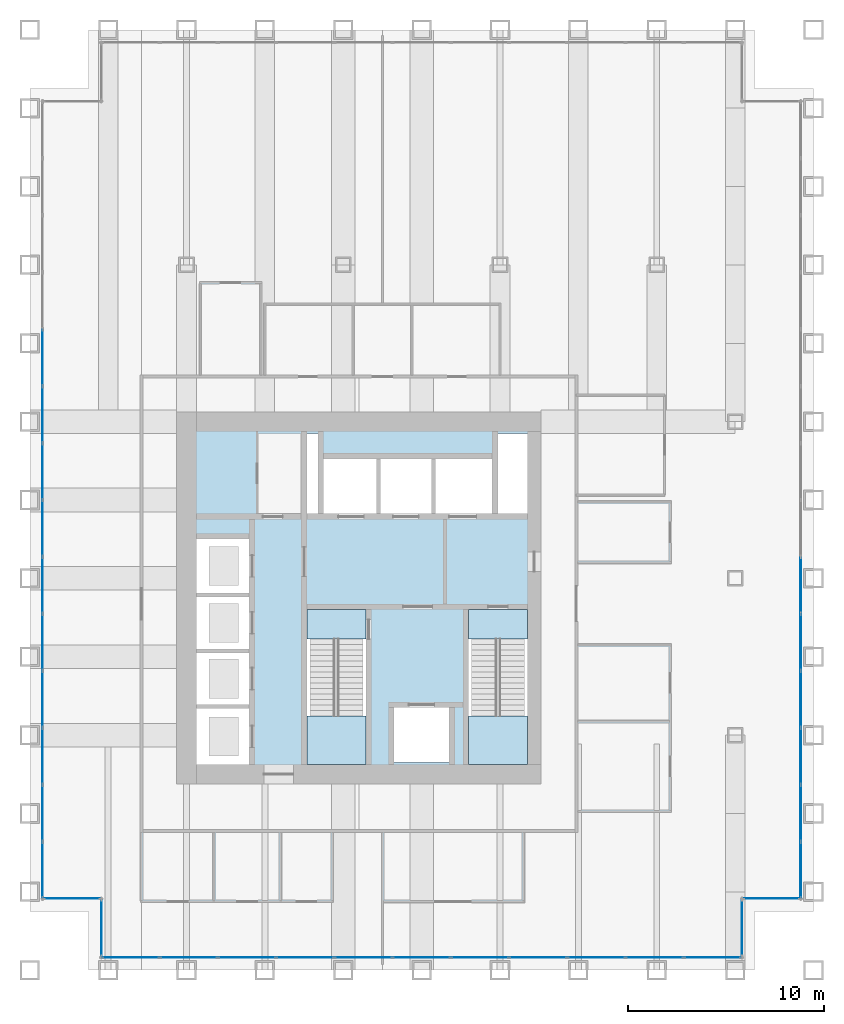
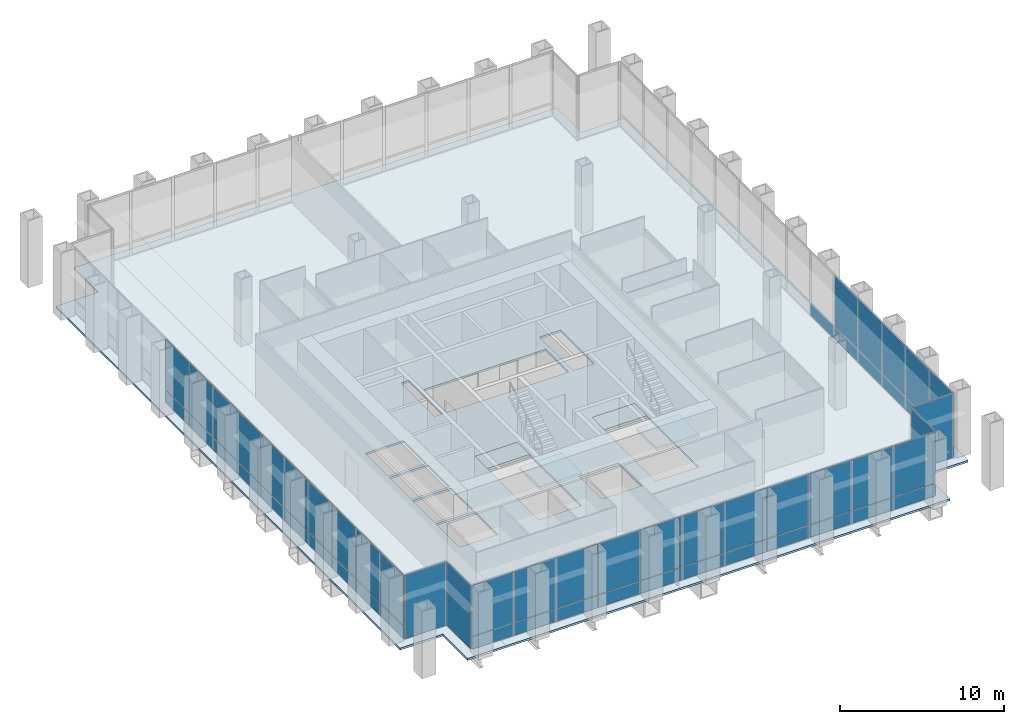
# One storey, part 8 of 13: 57 plates, 5 slabs, 9 elements without a shape of their own.
"""IFC4 building model written with IfcOpenShell, lengths in metres."""

from ifc_helpers import new_model, si_unit, direction, frame, origin, origin_2d, place, context, subcontext, project, spatial, polyline, rectangle, outline, extrude, material, layer, layer_set, type_object, element, aggregate, save


model = new_model("IFC4")

# Units and contexts
model_context = context("Model", 3, precision=1e-05, world=origin(), true_north=direction((0.0, 1.0)))
body_context = subcontext(model_context, "Body", "Model", "MODEL_VIEW")
ifc_project = project(units=[si_unit("LENGTHUNIT", "METRE"), si_unit("AREAUNIT", "SQUARE_METRE"), si_unit("VOLUMEUNIT", "CUBIC_METRE"), si_unit("PLANEANGLEUNIT", "RADIAN"), si_unit("MASSUNIT", "GRAM", prefix="KILO")], contexts=[model_context])

# Site, building, storey
site_placement = place(None, origin())
site = spatial("IfcSite", under=ifc_project, at=site_placement, CompositionType="ELEMENT")
building_placement = place(site_placement, origin())
building = spatial("IfcBuilding", under=site, at=building_placement, Name="Rimbunsela Tower", CompositionType="ELEMENT")
storey_placement = place(building_placement, frame((0.0, 0.0, 209.199951171875)))
storey = spatial("IfcBuildingStorey", under=building, at=storey_placement, Name="L50", CompositionType="ELEMENT", Elevation=209.199951171875)

# Slab
ifc_material_1 = material(Name="Concrete fc' 35 MPa", Category="concrete")
ifc_layer_1 = layer(ifc_material_1, 0.14990234375)
ifc_layer_set_1 = layer_set([ifc_layer_1], Name="Floor slab 150")
slab_type_1 = type_object("IfcSlabType", Name="Floor slab 150", PredefinedType="FLOOR", material=ifc_layer_set_1)
slab_1_placement = place(storey_placement, frame((0.0, 0.0, -0.14990234375)))
element("IfcSlab", 1, at=slab_1_placement, inside=storey, type_object=slab_type_1, Name="Floor slab L50", PredefinedType="FLOOR", context=body_context, shape_type="SweptSolid", body=[
    extrude(outline(polyline([(13.0, 8.0), (47.0, 8.0), (47.0, 11.0), (50.0, 11.0), (50.0, 53.0), (47.0, 53.0), (47.0, 56.0), (13.0, 56.0), (13.0, 53.0), (10.0, 53.0), (10.0, 11.0), (13.0, 11.0), (13.0, 8.0)]), holes=[polyline([(21.199951171875, 21.35009765625), (18.5, 21.35009765625), (18.5, 18.5), (21.199951171875, 18.5), (21.199951171875, 21.35009765625)]), polyline([(21.199951171875, 21.550048828125), (21.199951171875, 24.199951171875), (18.5, 24.199951171875), (18.5, 21.550048828125), (21.199951171875, 21.550048828125)]), polyline([(21.199951171875, 27.050048828125), (18.5, 27.050048828125), (18.5, 24.39990234375), (21.199951171875, 24.39990234375), (21.199951171875, 27.050048828125)]), polyline([(21.199951171875, 27.25), (21.199951171875, 30.0), (18.5, 30.0), (18.5, 27.25), (21.199951171875, 27.25)]), polyline([(27.14990234375, 18.60009765625), (27.14990234375, 26.39990234375), (24.14990234375, 26.39990234375), (24.14990234375, 18.60009765625), (27.14990234375, 18.60009765625)]), polyline([(24.699951171875, 31.300048828125), (24.699951171875, 35.39990234375), (24.14990234375, 35.39990234375), (24.14990234375, 31.300048828125), (24.699951171875, 31.300048828125)]), polyline([(25.0, 34.10009765625), (25.0, 31.300048828125), (33.60009765625, 31.300048828125), (33.60009765625, 34.10009765625), (25.0, 34.10009765625)]), polyline([(31.39990234375, 21.39990234375), (28.60009765625, 21.39990234375), (28.60009765625, 18.60009765625), (31.39990234375, 18.60009765625), (31.39990234375, 21.39990234375)]), polyline([(35.39990234375, 18.60009765625), (35.39990234375, 26.39990234375), (32.39990234375, 26.39990234375), (32.39990234375, 18.60009765625), (35.39990234375, 18.60009765625)]), polyline([(35.39990234375, 31.300048828125), (35.39990234375, 35.39990234375), (33.89990234375, 35.39990234375), (33.89990234375, 31.300048828125), (35.39990234375, 31.300048828125)])]), origin(), (0.0, 0.0, 1.0), 0.14990234375),
])

# Curtain wall, plate
ifc_material_2 = material(Name="Aluminium curtain wall", Category="aluminium")
curtain_wall_type_1 = type_object("IfcCurtainWallType", Name="Corner glazing", PredefinedType="USERDEFINED", material=ifc_material_2)
curtain_wall_1_placement = place(storey_placement, origin())
curtain_wall_1 = element("IfcCurtainWall", 2, at=curtain_wall_1_placement, inside=storey, type_object=curtain_wall_type_1, Name="Corner glazing L50", ObjectType="CORNER GLAZING", PredefinedType="USERDEFINED")
ifc_material_3 = material(Name="Clear double glazing", Category="glass")
ifc_layer_2 = layer(ifc_material_3, 0.028076171875)
ifc_layer_set_2 = layer_set([ifc_layer_2], Name="Glazed panel clear")
plate_type = type_object("IfcPlateType", Name="Glazed panel clear", PredefinedType="CURTAIN_PANEL", material=ifc_layer_set_2)
plate_1_placement = place(storey_placement, frame((46.35009765625, 10.14990234375, 0.06005859375), z_axis=(0.0, 0.0, 1.0), x_axis=(0.0, 1.0, 0.0)))
plate_1 = element("IfcPlate", 3, at=plate_1_placement, type_object=plate_type, Name="CW5 panel 1.1", PredefinedType="CURTAIN_PANEL", context=body_context, shape_type="SweptSolid", body=[
    extrude(rectangle(XDim=2.8798828125, YDim=0.028076171875, at=origin_2d()), origin(), (0.0, 0.0, 1.0), 4.72998046875),
])
aggregate(curtain_wall_1, [plate_1])

curtain_wall_2_placement = place(storey_placement, origin())
curtain_wall_2 = element("IfcCurtainWall", 4, at=curtain_wall_2_placement, inside=storey, type_object=curtain_wall_type_1, Name="Corner glazing L50", ObjectType="CORNER GLAZING", PredefinedType="USERDEFINED")
plate_2_placement = place(storey_placement, frame((47.85009765625, 11.64990234375, 0.06005859375), z_axis=(0.0, 0.0, 1.0), x_axis=(1.0, 0.0, 0.0)))
plate_2 = element("IfcPlate", 5, at=plate_2_placement, type_object=plate_type, Name="CW5 panel 1.1", PredefinedType="CURTAIN_PANEL", context=body_context, shape_type="SweptSolid", body=[
    extrude(rectangle(XDim=2.8798828125, YDim=0.028076171875, at=origin_2d()), origin(), (0.0, 0.0, 1.0), 4.72998046875),
])
aggregate(curtain_wall_2, [plate_2])

# Curtain wall, plates
ifc_material_4 = material(Name="Aluminium curtain wall", Category="aluminium")
curtain_wall_type_2 = type_object("IfcCurtainWallType", Name="Sky lobby glazing", PredefinedType="USERDEFINED", material=ifc_material_4)
curtain_wall_3_placement = place(storey_placement, origin())
curtain_wall_3 = element("IfcCurtainWall", 6, at=curtain_wall_3_placement, inside=storey, type_object=curtain_wall_type_2, Name="Sky lobby glazing L50", ObjectType="SKY LOBBY GLAZING", PredefinedType="USERDEFINED")
plate_3_placement = place(storey_placement, frame((49.35009765625, 13.11865234375, 0.06005859375), z_axis=(0.0, 0.0, 1.0), x_axis=(0.0, 1.0, 0.0)))
plate_3 = element("IfcPlate", 7, at=plate_3_placement, type_object=plate_type, Name="CW4 panel 1.1", PredefinedType="CURTAIN_PANEL", context=body_context, shape_type="SweptSolid", body=[
    extrude(rectangle(XDim=2.817138671875, YDim=0.028076171875, at=origin_2d()), origin(), (0.0, 0.0, 1.0), 0.909912109375),
])
plate_4_placement = place(storey_placement, frame((49.35009765625, 13.11865234375, 1.0302734375), z_axis=(0.0, 0.0, 1.0), x_axis=(0.0, 1.0, 0.0)))
plate_4 = element("IfcPlate", 8, at=plate_4_placement, type_object=plate_type, Name="CW4 panel 1.2", PredefinedType="CURTAIN_PANEL", context=body_context, shape_type="SweptSolid", body=[
    extrude(rectangle(XDim=2.817138671875, YDim=0.028076171875, at=origin_2d()), origin(), (0.0, 0.0, 1.0), 3.760009765625),
])
plate_5_placement = place(storey_placement, frame((49.35009765625, 16.0107421875, 0.06005859375), z_axis=(0.0, 0.0, 1.0), x_axis=(0.0, 1.0, 0.0)))
plate_5 = element("IfcPlate", 9, at=plate_5_placement, type_object=plate_type, Name="CW4 panel 2.1", PredefinedType="CURTAIN_PANEL", context=body_context, shape_type="SweptSolid", body=[
    extrude(rectangle(XDim=2.84716796875, YDim=0.028076171875, at=origin_2d()), origin(), (0.0, 0.0, 1.0), 0.909912109375),
])
plate_6_placement = place(storey_placement, frame((49.35009765625, 16.0107421875, 1.0302734375), z_axis=(0.0, 0.0, 1.0), x_axis=(0.0, 1.0, 0.0)))
plate_6 = element("IfcPlate", 10, at=plate_6_placement, type_object=plate_type, Name="CW4 panel 2.2", PredefinedType="CURTAIN_PANEL", context=body_context, shape_type="SweptSolid", body=[
    extrude(rectangle(XDim=2.84716796875, YDim=0.028076171875, at=origin_2d()), origin(), (0.0, 0.0, 1.0), 3.760009765625),
])
plate_7_placement = place(storey_placement, frame((49.35009765625, 18.91796875, 0.06005859375), z_axis=(0.0, 0.0, 1.0), x_axis=(0.0, 1.0, 0.0)))
plate_7 = element("IfcPlate", 11, at=plate_7_placement, type_object=plate_type, Name="CW4 panel 3.1", PredefinedType="CURTAIN_PANEL", context=body_context, shape_type="SweptSolid", body=[
    extrude(rectangle(XDim=2.84716796875, YDim=0.028076171875, at=origin_2d()), origin(), (0.0, 0.0, 1.0), 0.909912109375),
])
plate_8_placement = place(storey_placement, frame((49.35009765625, 18.91796875, 1.0302734375), z_axis=(0.0, 0.0, 1.0), x_axis=(0.0, 1.0, 0.0)))
plate_8 = element("IfcPlate", 12, at=plate_8_placement, type_object=plate_type, Name="CW4 panel 3.2", PredefinedType="CURTAIN_PANEL", context=body_context, shape_type="SweptSolid", body=[
    extrude(rectangle(XDim=2.84716796875, YDim=0.028076171875, at=origin_2d()), origin(), (0.0, 0.0, 1.0), 3.760009765625),
])
plate_9_placement = place(storey_placement, frame((49.35009765625, 21.824951171875, 0.06005859375), z_axis=(0.0, 0.0, 1.0), x_axis=(0.0, 1.0, 0.0)))
plate_9 = element("IfcPlate", 13, at=plate_9_placement, type_object=plate_type, Name="CW4 panel 4.1", PredefinedType="CURTAIN_PANEL", context=body_context, shape_type="SweptSolid", body=[
    extrude(rectangle(XDim=2.84716796875, YDim=0.028076171875, at=origin_2d()), origin(), (0.0, 0.0, 1.0), 0.909912109375),
])
plate_10_placement = place(storey_placement, frame((49.35009765625, 21.824951171875, 1.0302734375), z_axis=(0.0, 0.0, 1.0), x_axis=(0.0, 1.0, 0.0)))
plate_10 = element("IfcPlate", 14, at=plate_10_placement, type_object=plate_type, Name="CW4 panel 4.2", PredefinedType="CURTAIN_PANEL", context=body_context, shape_type="SweptSolid", body=[
    extrude(rectangle(XDim=2.84716796875, YDim=0.028076171875, at=origin_2d()), origin(), (0.0, 0.0, 1.0), 3.760009765625),
])
plate_11_placement = place(storey_placement, frame((49.35009765625, 24.732177734375, 0.06005859375), z_axis=(0.0, 0.0, 1.0), x_axis=(0.0, 1.0, 0.0)))
plate_11 = element("IfcPlate", 15, at=plate_11_placement, type_object=plate_type, Name="CW4 panel 5.1", PredefinedType="CURTAIN_PANEL", context=body_context, shape_type="SweptSolid", body=[
    extrude(rectangle(XDim=2.84716796875, YDim=0.028076171875, at=origin_2d()), origin(), (0.0, 0.0, 1.0), 0.909912109375),
])
plate_12_placement = place(storey_placement, frame((49.35009765625, 24.732177734375, 1.0302734375), z_axis=(0.0, 0.0, 1.0), x_axis=(0.0, 1.0, 0.0)))
plate_12 = element("IfcPlate", 16, at=plate_12_placement, type_object=plate_type, Name="CW4 panel 5.2", PredefinedType="CURTAIN_PANEL", context=body_context, shape_type="SweptSolid", body=[
    extrude(rectangle(XDim=2.84716796875, YDim=0.028076171875, at=origin_2d()), origin(), (0.0, 0.0, 1.0), 3.760009765625),
])
plate_13_placement = place(storey_placement, frame((49.35009765625, 27.639404296875, 0.06005859375), z_axis=(0.0, 0.0, 1.0), x_axis=(0.0, 1.0, 0.0)))
plate_13 = element("IfcPlate", 17, at=plate_13_placement, type_object=plate_type, Name="CW4 panel 6.1", PredefinedType="CURTAIN_PANEL", context=body_context, shape_type="SweptSolid", body=[
    extrude(rectangle(XDim=2.84716796875, YDim=0.028076171875, at=origin_2d()), origin(), (0.0, 0.0, 1.0), 0.909912109375),
])
aggregate(curtain_wall_3, [plate_3, plate_4, plate_5, plate_6, plate_7, plate_8, plate_9, plate_10, plate_11, plate_12, plate_13])

curtain_wall_4_placement = place(storey_placement, origin())
curtain_wall_4 = element("IfcCurtainWall", 18, at=curtain_wall_4_placement, inside=storey, type_object=curtain_wall_type_2, Name="Sky lobby glazing L50", ObjectType="SKY LOBBY GLAZING", PredefinedType="USERDEFINED")
plate_14_placement = place(storey_placement, frame((10.64990234375, 39.267822265625, 0.06005859375), z_axis=(0.0, 0.0, 1.0), x_axis=(0.0, -1.0, 0.0)))
plate_14 = element("IfcPlate", 19, at=plate_14_placement, type_object=plate_type, Name="CW4 panel 5.1", PredefinedType="CURTAIN_PANEL", context=body_context, shape_type="SweptSolid", body=[
    extrude(rectangle(XDim=2.84716796875, YDim=0.028076171875, at=origin_2d()), origin(), (0.0, 0.0, 1.0), 0.909912109375),
])
plate_15_placement = place(storey_placement, frame((10.64990234375, 39.267822265625, 1.0302734375), z_axis=(0.0, 0.0, 1.0), x_axis=(0.0, -1.0, 0.0)))
plate_15 = element("IfcPlate", 20, at=plate_15_placement, type_object=plate_type, Name="CW4 panel 5.2", PredefinedType="CURTAIN_PANEL", context=body_context, shape_type="SweptSolid", body=[
    extrude(rectangle(XDim=2.84716796875, YDim=0.028076171875, at=origin_2d()), origin(), (0.0, 0.0, 1.0), 3.760009765625),
])
plate_16_placement = place(storey_placement, frame((10.64990234375, 36.360595703125, 0.06005859375), z_axis=(0.0, 0.0, 1.0), x_axis=(0.0, -1.0, 0.0)))
plate_16 = element("IfcPlate", 21, at=plate_16_placement, type_object=plate_type, Name="CW4 panel 6.1", PredefinedType="CURTAIN_PANEL", context=body_context, shape_type="SweptSolid", body=[
    extrude(rectangle(XDim=2.84716796875, YDim=0.028076171875, at=origin_2d()), origin(), (0.0, 0.0, 1.0), 0.909912109375),
])
plate_17_placement = place(storey_placement, frame((10.64990234375, 36.360595703125, 1.0302734375), z_axis=(0.0, 0.0, 1.0), x_axis=(0.0, -1.0, 0.0)))
plate_17 = element("IfcPlate", 22, at=plate_17_placement, type_object=plate_type, Name="CW4 panel 6.2", PredefinedType="CURTAIN_PANEL", context=body_context, shape_type="SweptSolid", body=[
    extrude(rectangle(XDim=2.84716796875, YDim=0.028076171875, at=origin_2d()), origin(), (0.0, 0.0, 1.0), 3.760009765625),
])
plate_18_placement = place(storey_placement, frame((10.64990234375, 33.45361328125, 0.06005859375), z_axis=(0.0, 0.0, 1.0), x_axis=(0.0, -1.0, 0.0)))
plate_18 = element("IfcPlate", 23, at=plate_18_placement, type_object=plate_type, Name="CW4 panel 7.1", PredefinedType="CURTAIN_PANEL", context=body_context, shape_type="SweptSolid", body=[
    extrude(rectangle(XDim=2.84716796875, YDim=0.028076171875, at=origin_2d()), origin(), (0.0, 0.0, 1.0), 0.909912109375),
])
plate_19_placement = place(storey_placement, frame((10.64990234375, 33.45361328125, 1.0302734375), z_axis=(0.0, 0.0, 1.0), x_axis=(0.0, -1.0, 0.0)))
plate_19 = element("IfcPlate", 24, at=plate_19_placement, type_object=plate_type, Name="CW4 panel 7.2", PredefinedType="CURTAIN_PANEL", context=body_context, shape_type="SweptSolid", body=[
    extrude(rectangle(XDim=2.84716796875, YDim=0.028076171875, at=origin_2d()), origin(), (0.0, 0.0, 1.0), 3.760009765625),
])
plate_20_placement = place(storey_placement, frame((10.64990234375, 30.54638671875, 0.06005859375), z_axis=(0.0, 0.0, 1.0), x_axis=(0.0, -1.0, 0.0)))
plate_20 = element("IfcPlate", 25, at=plate_20_placement, type_object=plate_type, Name="CW4 panel 8.1", PredefinedType="CURTAIN_PANEL", context=body_context, shape_type="SweptSolid", body=[
    extrude(rectangle(XDim=2.84716796875, YDim=0.028076171875, at=origin_2d()), origin(), (0.0, 0.0, 1.0), 0.909912109375),
])
plate_21_placement = place(storey_placement, frame((10.64990234375, 30.54638671875, 1.0302734375), z_axis=(0.0, 0.0, 1.0), x_axis=(0.0, -1.0, 0.0)))
plate_21 = element("IfcPlate", 26, at=plate_21_placement, type_object=plate_type, Name="CW4 panel 8.2", PredefinedType="CURTAIN_PANEL", context=body_context, shape_type="SweptSolid", body=[
    extrude(rectangle(XDim=2.84716796875, YDim=0.028076171875, at=origin_2d()), origin(), (0.0, 0.0, 1.0), 3.760009765625),
])
plate_22_placement = place(storey_placement, frame((10.64990234375, 27.639404296875, 0.06005859375), z_axis=(0.0, 0.0, 1.0), x_axis=(0.0, -1.0, 0.0)))
plate_22 = element("IfcPlate", 27, at=plate_22_placement, type_object=plate_type, Name="CW4 panel 9.1", PredefinedType="CURTAIN_PANEL", context=body_context, shape_type="SweptSolid", body=[
    extrude(rectangle(XDim=2.84716796875, YDim=0.028076171875, at=origin_2d()), origin(), (0.0, 0.0, 1.0), 0.909912109375),
])
plate_23_placement = place(storey_placement, frame((10.64990234375, 27.639404296875, 1.0302734375), z_axis=(0.0, 0.0, 1.0), x_axis=(0.0, -1.0, 0.0)))
plate_23 = element("IfcPlate", 28, at=plate_23_placement, type_object=plate_type, Name="CW4 panel 9.2", PredefinedType="CURTAIN_PANEL", context=body_context, shape_type="SweptSolid", body=[
    extrude(rectangle(XDim=2.84716796875, YDim=0.028076171875, at=origin_2d()), origin(), (0.0, 0.0, 1.0), 3.760009765625),
])
plate_24_placement = place(storey_placement, frame((10.64990234375, 24.732177734375, 0.06005859375), z_axis=(0.0, 0.0, 1.0), x_axis=(0.0, -1.0, 0.0)))
plate_24 = element("IfcPlate", 29, at=plate_24_placement, type_object=plate_type, Name="CW4 panel 10.1", PredefinedType="CURTAIN_PANEL", context=body_context, shape_type="SweptSolid", body=[
    extrude(rectangle(XDim=2.84716796875, YDim=0.028076171875, at=origin_2d()), origin(), (0.0, 0.0, 1.0), 0.909912109375),
])
plate_25_placement = place(storey_placement, frame((10.64990234375, 24.732177734375, 1.0302734375), z_axis=(0.0, 0.0, 1.0), x_axis=(0.0, -1.0, 0.0)))
plate_25 = element("IfcPlate", 30, at=plate_25_placement, type_object=plate_type, Name="CW4 panel 10.2", PredefinedType="CURTAIN_PANEL", context=body_context, shape_type="SweptSolid", body=[
    extrude(rectangle(XDim=2.84716796875, YDim=0.028076171875, at=origin_2d()), origin(), (0.0, 0.0, 1.0), 3.760009765625),
])
plate_26_placement = place(storey_placement, frame((10.64990234375, 21.824951171875, 0.06005859375), z_axis=(0.0, 0.0, 1.0), x_axis=(0.0, -1.0, 0.0)))
plate_26 = element("IfcPlate", 31, at=plate_26_placement, type_object=plate_type, Name="CW4 panel 11.1", PredefinedType="CURTAIN_PANEL", context=body_context, shape_type="SweptSolid", body=[
    extrude(rectangle(XDim=2.84716796875, YDim=0.028076171875, at=origin_2d()), origin(), (0.0, 0.0, 1.0), 0.909912109375),
])
plate_27_placement = place(storey_placement, frame((10.64990234375, 21.824951171875, 1.0302734375), z_axis=(0.0, 0.0, 1.0), x_axis=(0.0, -1.0, 0.0)))
plate_27 = element("IfcPlate", 32, at=plate_27_placement, type_object=plate_type, Name="CW4 panel 11.2", PredefinedType="CURTAIN_PANEL", context=body_context, shape_type="SweptSolid", body=[
    extrude(rectangle(XDim=2.84716796875, YDim=0.028076171875, at=origin_2d()), origin(), (0.0, 0.0, 1.0), 3.760009765625),
])
plate_28_placement = place(storey_placement, frame((10.64990234375, 18.91796875, 0.06005859375), z_axis=(0.0, 0.0, 1.0), x_axis=(0.0, -1.0, 0.0)))
plate_28 = element("IfcPlate", 33, at=plate_28_placement, type_object=plate_type, Name="CW4 panel 12.1", PredefinedType="CURTAIN_PANEL", context=body_context, shape_type="SweptSolid", body=[
    extrude(rectangle(XDim=2.84716796875, YDim=0.028076171875, at=origin_2d()), origin(), (0.0, 0.0, 1.0), 0.909912109375),
])
plate_29_placement = place(storey_placement, frame((10.64990234375, 18.91796875, 1.0302734375), z_axis=(0.0, 0.0, 1.0), x_axis=(0.0, -1.0, 0.0)))
plate_29 = element("IfcPlate", 34, at=plate_29_placement, type_object=plate_type, Name="CW4 panel 12.2", PredefinedType="CURTAIN_PANEL", context=body_context, shape_type="SweptSolid", body=[
    extrude(rectangle(XDim=2.84716796875, YDim=0.028076171875, at=origin_2d()), origin(), (0.0, 0.0, 1.0), 3.760009765625),
])
plate_30_placement = place(storey_placement, frame((10.64990234375, 16.0107421875, 0.06005859375), z_axis=(0.0, 0.0, 1.0), x_axis=(0.0, -1.0, 0.0)))
plate_30 = element("IfcPlate", 35, at=plate_30_placement, type_object=plate_type, Name="CW4 panel 13.1", PredefinedType="CURTAIN_PANEL", context=body_context, shape_type="SweptSolid", body=[
    extrude(rectangle(XDim=2.84716796875, YDim=0.028076171875, at=origin_2d()), origin(), (0.0, 0.0, 1.0), 0.909912109375),
])
plate_31_placement = place(storey_placement, frame((10.64990234375, 16.0107421875, 1.0302734375), z_axis=(0.0, 0.0, 1.0), x_axis=(0.0, -1.0, 0.0)))
plate_31 = element("IfcPlate", 36, at=plate_31_placement, type_object=plate_type, Name="CW4 panel 13.2", PredefinedType="CURTAIN_PANEL", context=body_context, shape_type="SweptSolid", body=[
    extrude(rectangle(XDim=2.84716796875, YDim=0.028076171875, at=origin_2d()), origin(), (0.0, 0.0, 1.0), 3.760009765625),
])
plate_32_placement = place(storey_placement, frame((10.64990234375, 13.11865234375, 0.06005859375), z_axis=(0.0, 0.0, 1.0), x_axis=(0.0, -1.0, 0.0)))
plate_32 = element("IfcPlate", 37, at=plate_32_placement, type_object=plate_type, Name="CW4 panel 14.1", PredefinedType="CURTAIN_PANEL", context=body_context, shape_type="SweptSolid", body=[
    extrude(rectangle(XDim=2.817138671875, YDim=0.028076171875, at=origin_2d()), origin(), (0.0, 0.0, 1.0), 0.909912109375),
])
plate_33_placement = place(storey_placement, frame((10.64990234375, 13.11865234375, 1.0302734375), z_axis=(0.0, 0.0, 1.0), x_axis=(0.0, -1.0, 0.0)))
plate_33 = element("IfcPlate", 38, at=plate_33_placement, type_object=plate_type, Name="CW4 panel 14.2", PredefinedType="CURTAIN_PANEL", context=body_context, shape_type="SweptSolid", body=[
    extrude(rectangle(XDim=2.817138671875, YDim=0.028076171875, at=origin_2d()), origin(), (0.0, 0.0, 1.0), 3.760009765625),
])
aggregate(curtain_wall_4, [plate_14, plate_15, plate_16, plate_17, plate_18, plate_19, plate_20, plate_21, plate_22, plate_23, plate_24, plate_25, plate_26, plate_27, plate_28, plate_29, plate_30, plate_31, plate_32, plate_33])

# Curtain wall, plate
curtain_wall_5_placement = place(storey_placement, origin())
curtain_wall_5 = element("IfcCurtainWall", 39, at=curtain_wall_5_placement, inside=storey, type_object=curtain_wall_type_1, Name="Corner glazing L50", ObjectType="CORNER GLAZING", PredefinedType="USERDEFINED")
plate_34_placement = place(storey_placement, frame((12.14990234375, 11.64990234375, 0.06005859375), z_axis=(0.0, 0.0, 1.0), x_axis=(1.0, 0.0, 0.0)))
plate_34 = element("IfcPlate", 40, at=plate_34_placement, type_object=plate_type, Name="CW5 panel 1.1", PredefinedType="CURTAIN_PANEL", context=body_context, shape_type="SweptSolid", body=[
    extrude(rectangle(XDim=2.8798828125, YDim=0.028076171875, at=origin_2d()), origin(), (0.0, 0.0, 1.0), 4.72998046875),
])
aggregate(curtain_wall_5, [plate_34])

curtain_wall_6_placement = place(storey_placement, origin())
curtain_wall_6 = element("IfcCurtainWall", 41, at=curtain_wall_6_placement, inside=storey, type_object=curtain_wall_type_1, Name="Corner glazing L50", ObjectType="CORNER GLAZING", PredefinedType="USERDEFINED")
plate_35_placement = place(storey_placement, frame((13.64990234375, 10.14990234375, 0.06005859375), z_axis=(0.0, 0.0, 1.0), x_axis=(0.0, -1.0, 0.0)))
plate_35 = element("IfcPlate", 42, at=plate_35_placement, type_object=plate_type, Name="CW5 panel 1.1", PredefinedType="CURTAIN_PANEL", context=body_context, shape_type="SweptSolid", body=[
    extrude(rectangle(XDim=2.8798828125, YDim=0.028076171875, at=origin_2d()), origin(), (0.0, 0.0, 1.0), 4.72998046875),
])
aggregate(curtain_wall_6, [plate_35])

# Curtain wall, plates
curtain_wall_7_placement = place(storey_placement, origin())
curtain_wall_7 = element("IfcCurtainWall", 43, at=curtain_wall_7_placement, inside=storey, type_object=curtain_wall_type_2, Name="Sky lobby glazing L50", ObjectType="SKY LOBBY GLAZING", PredefinedType="USERDEFINED")
plate_36_placement = place(storey_placement, frame((15.1513671875, 8.64990234375, 0.06005859375), z_axis=(0.0, 0.0, 1.0), x_axis=(1.0, 0.0, 0.0)))
plate_36 = element("IfcPlate", 44, at=plate_36_placement, type_object=plate_type, Name="CW4 panel 1.1", PredefinedType="CURTAIN_PANEL", context=body_context, shape_type="SweptSolid", body=[
    extrude(rectangle(XDim=2.8828125, YDim=0.028076171875, at=origin_2d()), origin(), (0.0, 0.0, 1.0), 0.909912109375),
])
plate_37_placement = place(storey_placement, frame((15.1513671875, 8.64990234375, 1.0302734375), z_axis=(0.0, 0.0, 1.0), x_axis=(1.0, 0.0, 0.0)))
plate_37 = element("IfcPlate", 45, at=plate_37_placement, type_object=plate_type, Name="CW4 panel 1.2", PredefinedType="CURTAIN_PANEL", context=body_context, shape_type="SweptSolid", body=[
    extrude(rectangle(XDim=2.8828125, YDim=0.028076171875, at=origin_2d()), origin(), (0.0, 0.0, 1.0), 3.760009765625),
])
plate_38_placement = place(storey_placement, frame((18.109130859375, 8.64990234375, 0.06005859375), z_axis=(0.0, 0.0, 1.0), x_axis=(1.0, 0.0, 0.0)))
plate_38 = element("IfcPlate", 46, at=plate_38_placement, type_object=plate_type, Name="CW4 panel 2.1", PredefinedType="CURTAIN_PANEL", context=body_context, shape_type="SweptSolid", body=[
    extrude(rectangle(XDim=2.912841796875, YDim=0.028076171875, at=origin_2d()), origin(), (0.0, 0.0, 1.0), 0.909912109375),
])
plate_39_placement = place(storey_placement, frame((18.109130859375, 8.64990234375, 1.0302734375), z_axis=(0.0, 0.0, 1.0), x_axis=(1.0, 0.0, 0.0)))
plate_39 = element("IfcPlate", 47, at=plate_39_placement, type_object=plate_type, Name="CW4 panel 2.2", PredefinedType="CURTAIN_PANEL", context=body_context, shape_type="SweptSolid", body=[
    extrude(rectangle(XDim=2.912841796875, YDim=0.028076171875, at=origin_2d()), origin(), (0.0, 0.0, 1.0), 3.760009765625),
])
plate_40_placement = place(storey_placement, frame((21.081787109375, 8.64990234375, 0.06005859375), z_axis=(0.0, 0.0, 1.0), x_axis=(1.0, 0.0, 0.0)))
plate_40 = element("IfcPlate", 48, at=plate_40_placement, type_object=plate_type, Name="CW4 panel 3.1", PredefinedType="CURTAIN_PANEL", context=body_context, shape_type="SweptSolid", body=[
    extrude(rectangle(XDim=2.912841796875, YDim=0.028076171875, at=origin_2d()), origin(), (0.0, 0.0, 1.0), 0.909912109375),
])
plate_41_placement = place(storey_placement, frame((21.081787109375, 8.64990234375, 1.0302734375), z_axis=(0.0, 0.0, 1.0), x_axis=(1.0, 0.0, 0.0)))
plate_41 = element("IfcPlate", 49, at=plate_41_placement, type_object=plate_type, Name="CW4 panel 3.2", PredefinedType="CURTAIN_PANEL", context=body_context, shape_type="SweptSolid", body=[
    extrude(rectangle(XDim=2.912841796875, YDim=0.028076171875, at=origin_2d()), origin(), (0.0, 0.0, 1.0), 3.760009765625),
])
plate_42_placement = place(storey_placement, frame((24.054443359375, 8.64990234375, 0.06005859375), z_axis=(0.0, 0.0, 1.0), x_axis=(1.0, 0.0, 0.0)))
plate_42 = element("IfcPlate", 50, at=plate_42_placement, type_object=plate_type, Name="CW4 panel 4.1", PredefinedType="CURTAIN_PANEL", context=body_context, shape_type="SweptSolid", body=[
    extrude(rectangle(XDim=2.912841796875, YDim=0.028076171875, at=origin_2d()), origin(), (0.0, 0.0, 1.0), 0.909912109375),
])
plate_43_placement = place(storey_placement, frame((24.054443359375, 8.64990234375, 1.0302734375), z_axis=(0.0, 0.0, 1.0), x_axis=(1.0, 0.0, 0.0)))
plate_43 = element("IfcPlate", 51, at=plate_43_placement, type_object=plate_type, Name="CW4 panel 4.2", PredefinedType="CURTAIN_PANEL", context=body_context, shape_type="SweptSolid", body=[
    extrude(rectangle(XDim=2.912841796875, YDim=0.028076171875, at=origin_2d()), origin(), (0.0, 0.0, 1.0), 3.760009765625),
])
plate_44_placement = place(storey_placement, frame((27.02734375, 8.64990234375, 0.06005859375), z_axis=(0.0, 0.0, 1.0), x_axis=(1.0, 0.0, 0.0)))
plate_44 = element("IfcPlate", 52, at=plate_44_placement, type_object=plate_type, Name="CW4 panel 5.1", PredefinedType="CURTAIN_PANEL", context=body_context, shape_type="SweptSolid", body=[
    extrude(rectangle(XDim=2.912841796875, YDim=0.028076171875, at=origin_2d()), origin(), (0.0, 0.0, 1.0), 0.909912109375),
])
plate_45_placement = place(storey_placement, frame((27.02734375, 8.64990234375, 1.0302734375), z_axis=(0.0, 0.0, 1.0), x_axis=(1.0, 0.0, 0.0)))
plate_45 = element("IfcPlate", 53, at=plate_45_placement, type_object=plate_type, Name="CW4 panel 5.2", PredefinedType="CURTAIN_PANEL", context=body_context, shape_type="SweptSolid", body=[
    extrude(rectangle(XDim=2.912841796875, YDim=0.028076171875, at=origin_2d()), origin(), (0.0, 0.0, 1.0), 3.760009765625),
])
plate_46_placement = place(storey_placement, frame((30.0, 8.64990234375, 0.06005859375), z_axis=(0.0, 0.0, 1.0), x_axis=(1.0, 0.0, 0.0)))
plate_46 = element("IfcPlate", 54, at=plate_46_placement, type_object=plate_type, Name="CW4 panel 6.1", PredefinedType="CURTAIN_PANEL", context=body_context, shape_type="SweptSolid", body=[
    extrude(rectangle(XDim=2.912841796875, YDim=0.028076171875, at=origin_2d()), origin(), (0.0, 0.0, 1.0), 0.909912109375),
])
plate_47_placement = place(storey_placement, frame((30.0, 8.64990234375, 1.0302734375), z_axis=(0.0, 0.0, 1.0), x_axis=(1.0, 0.0, 0.0)))
plate_47 = element("IfcPlate", 55, at=plate_47_placement, type_object=plate_type, Name="CW4 panel 6.2", PredefinedType="CURTAIN_PANEL", context=body_context, shape_type="SweptSolid", body=[
    extrude(rectangle(XDim=2.912841796875, YDim=0.028076171875, at=origin_2d()), origin(), (0.0, 0.0, 1.0), 3.760009765625),
])
plate_48_placement = place(storey_placement, frame((32.97265625, 8.64990234375, 0.06005859375), z_axis=(0.0, 0.0, 1.0), x_axis=(1.0, 0.0, 0.0)))
plate_48 = element("IfcPlate", 56, at=plate_48_placement, type_object=plate_type, Name="CW4 panel 7.1", PredefinedType="CURTAIN_PANEL", context=body_context, shape_type="SweptSolid", body=[
    extrude(rectangle(XDim=2.912841796875, YDim=0.028076171875, at=origin_2d()), origin(), (0.0, 0.0, 1.0), 0.909912109375),
])
plate_49_placement = place(storey_placement, frame((32.97265625, 8.64990234375, 1.0302734375), z_axis=(0.0, 0.0, 1.0), x_axis=(1.0, 0.0, 0.0)))
plate_49 = element("IfcPlate", 57, at=plate_49_placement, type_object=plate_type, Name="CW4 panel 7.2", PredefinedType="CURTAIN_PANEL", context=body_context, shape_type="SweptSolid", body=[
    extrude(rectangle(XDim=2.912841796875, YDim=0.028076171875, at=origin_2d()), origin(), (0.0, 0.0, 1.0), 3.760009765625),
])
plate_50_placement = place(storey_placement, frame((35.945556640625, 8.64990234375, 0.06005859375), z_axis=(0.0, 0.0, 1.0), x_axis=(1.0, 0.0, 0.0)))
plate_50 = element("IfcPlate", 58, at=plate_50_placement, type_object=plate_type, Name="CW4 panel 8.1", PredefinedType="CURTAIN_PANEL", context=body_context, shape_type="SweptSolid", body=[
    extrude(rectangle(XDim=2.912841796875, YDim=0.028076171875, at=origin_2d()), origin(), (0.0, 0.0, 1.0), 0.909912109375),
])
plate_51_placement = place(storey_placement, frame((35.945556640625, 8.64990234375, 1.0302734375), z_axis=(0.0, 0.0, 1.0), x_axis=(1.0, 0.0, 0.0)))
plate_51 = element("IfcPlate", 59, at=plate_51_placement, type_object=plate_type, Name="CW4 panel 8.2", PredefinedType="CURTAIN_PANEL", context=body_context, shape_type="SweptSolid", body=[
    extrude(rectangle(XDim=2.912841796875, YDim=0.028076171875, at=origin_2d()), origin(), (0.0, 0.0, 1.0), 3.760009765625),
])
plate_52_placement = place(storey_placement, frame((38.918212890625, 8.64990234375, 0.06005859375), z_axis=(0.0, 0.0, 1.0), x_axis=(1.0, 0.0, 0.0)))
plate_52 = element("IfcPlate", 60, at=plate_52_placement, type_object=plate_type, Name="CW4 panel 9.1", PredefinedType="CURTAIN_PANEL", context=body_context, shape_type="SweptSolid", body=[
    extrude(rectangle(XDim=2.912841796875, YDim=0.028076171875, at=origin_2d()), origin(), (0.0, 0.0, 1.0), 0.909912109375),
])
plate_53_placement = place(storey_placement, frame((38.918212890625, 8.64990234375, 1.0302734375), z_axis=(0.0, 0.0, 1.0), x_axis=(1.0, 0.0, 0.0)))
plate_53 = element("IfcPlate", 61, at=plate_53_placement, type_object=plate_type, Name="CW4 panel 9.2", PredefinedType="CURTAIN_PANEL", context=body_context, shape_type="SweptSolid", body=[
    extrude(rectangle(XDim=2.912841796875, YDim=0.028076171875, at=origin_2d()), origin(), (0.0, 0.0, 1.0), 3.760009765625),
])
plate_54_placement = place(storey_placement, frame((41.890869140625, 8.64990234375, 0.06005859375), z_axis=(0.0, 0.0, 1.0), x_axis=(1.0, 0.0, 0.0)))
plate_54 = element("IfcPlate", 62, at=plate_54_placement, type_object=plate_type, Name="CW4 panel 10.1", PredefinedType="CURTAIN_PANEL", context=body_context, shape_type="SweptSolid", body=[
    extrude(rectangle(XDim=2.912841796875, YDim=0.028076171875, at=origin_2d()), origin(), (0.0, 0.0, 1.0), 0.909912109375),
])
plate_55_placement = place(storey_placement, frame((41.890869140625, 8.64990234375, 1.0302734375), z_axis=(0.0, 0.0, 1.0), x_axis=(1.0, 0.0, 0.0)))
plate_55 = element("IfcPlate", 63, at=plate_55_placement, type_object=plate_type, Name="CW4 panel 10.2", PredefinedType="CURTAIN_PANEL", context=body_context, shape_type="SweptSolid", body=[
    extrude(rectangle(XDim=2.912841796875, YDim=0.028076171875, at=origin_2d()), origin(), (0.0, 0.0, 1.0), 3.760009765625),
])
plate_56_placement = place(storey_placement, frame((44.8486328125, 8.64990234375, 0.06005859375), z_axis=(0.0, 0.0, 1.0), x_axis=(1.0, 0.0, 0.0)))
plate_56 = element("IfcPlate", 64, at=plate_56_placement, type_object=plate_type, Name="CW4 panel 11.1", PredefinedType="CURTAIN_PANEL", context=body_context, shape_type="SweptSolid", body=[
    extrude(rectangle(XDim=2.8828125, YDim=0.028076171875, at=origin_2d()), origin(), (0.0, 0.0, 1.0), 0.909912109375),
])
plate_57_placement = place(storey_placement, frame((44.8486328125, 8.64990234375, 1.0302734375), z_axis=(0.0, 0.0, 1.0), x_axis=(1.0, 0.0, 0.0)))
plate_57 = element("IfcPlate", 65, at=plate_57_placement, type_object=plate_type, Name="CW4 panel 11.2", PredefinedType="CURTAIN_PANEL", context=body_context, shape_type="SweptSolid", body=[
    extrude(rectangle(XDim=2.8828125, YDim=0.028076171875, at=origin_2d()), origin(), (0.0, 0.0, 1.0), 3.760009765625),
])
aggregate(curtain_wall_7, [plate_36, plate_37, plate_38, plate_39, plate_40, plate_41, plate_42, plate_43, plate_44, plate_45, plate_46, plate_47, plate_48, plate_49, plate_50, plate_51, plate_52, plate_53, plate_54, plate_55, plate_56, plate_57])

# Stair, slabs
ifc_material_5 = material(Name="Concrete fc' 35 MPa", Category="concrete")
stair_type = type_object("IfcStairType", Name="Exit stair 30 risers", PredefinedType="HALF_TURN_STAIR", material=ifc_material_5)
stair_1_placement = place(storey_placement, origin())
stair_1 = element("IfcStair", 66, at=stair_1_placement, inside=storey, type_object=stair_type, Name="Exit stair A L50", PredefinedType="HALF_TURN_STAIR")
ifc_material_6 = material(Name="Concrete fc' 35 MPa", Category="concrete")
ifc_layer_3 = layer(ifc_material_6, 0.199951171875)
ifc_layer_set_3 = layer_set([ifc_layer_3], Name="Stair landing 200")
slab_type_2 = type_object("IfcSlabType", Name="Stair landing 200", PredefinedType="LANDING", material=ifc_layer_set_3)
slab_2_placement = place(storey_placement, frame((0.0, 0.0, -0.199951171875)))
slab_2 = element("IfcSlab", 67, at=slab_2_placement, type_object=slab_type_2, Name="ST-A landing 1", PredefinedType="LANDING", context=body_context, shape_type="SweptSolid", body=[
    extrude(outline(polyline([(24.14990234375, 24.89990234375), (27.14990234375, 24.89990234375), (27.14990234375, 26.39990234375), (24.14990234375, 26.39990234375), (24.14990234375, 24.89990234375)])), origin(), (0.0, 0.0, 1.0), 0.199951171875),
])
slab_3_placement = place(storey_placement, frame((0.0, 0.0, 2.300048828125)))
slab_3 = element("IfcSlab", 68, at=slab_3_placement, type_object=slab_type_2, Name="ST-A landing 2", PredefinedType="LANDING", context=body_context, shape_type="SweptSolid", body=[
    extrude(outline(polyline([(24.14990234375, 18.5), (27.14990234375, 18.5), (27.14990234375, 20.97998046875), (24.14990234375, 20.97998046875), (24.14990234375, 18.5)])), origin(), (0.0, 0.0, 1.0), 0.199951171875),
])
aggregate(stair_1, [slab_2, slab_3])

stair_2_placement = place(storey_placement, origin())
stair_2 = element("IfcStair", 69, at=stair_2_placement, inside=storey, type_object=stair_type, Name="Exit stair B L50", PredefinedType="HALF_TURN_STAIR")
slab_4_placement = place(storey_placement, frame((0.0, 0.0, -0.199951171875)))
slab_4 = element("IfcSlab", 70, at=slab_4_placement, type_object=slab_type_2, Name="ST-B landing 1", PredefinedType="LANDING", context=body_context, shape_type="SweptSolid", body=[
    extrude(outline(polyline([(32.39990234375, 24.89990234375), (35.39990234375, 24.89990234375), (35.39990234375, 26.39990234375), (32.39990234375, 26.39990234375), (32.39990234375, 24.89990234375)])), origin(), (0.0, 0.0, 1.0), 0.199951171875),
])
slab_5_placement = place(storey_placement, frame((0.0, 0.0, 2.300048828125)))
slab_5 = element("IfcSlab", 71, at=slab_5_placement, type_object=slab_type_2, Name="ST-B landing 2", PredefinedType="LANDING", context=body_context, shape_type="SweptSolid", body=[
    extrude(outline(polyline([(32.39990234375, 18.5), (35.39990234375, 18.5), (35.39990234375, 20.97998046875), (32.39990234375, 20.97998046875), (32.39990234375, 18.5)])), origin(), (0.0, 0.0, 1.0), 0.199951171875),
])
aggregate(stair_2, [slab_4, slab_5])

save(model, "model.ifc")
